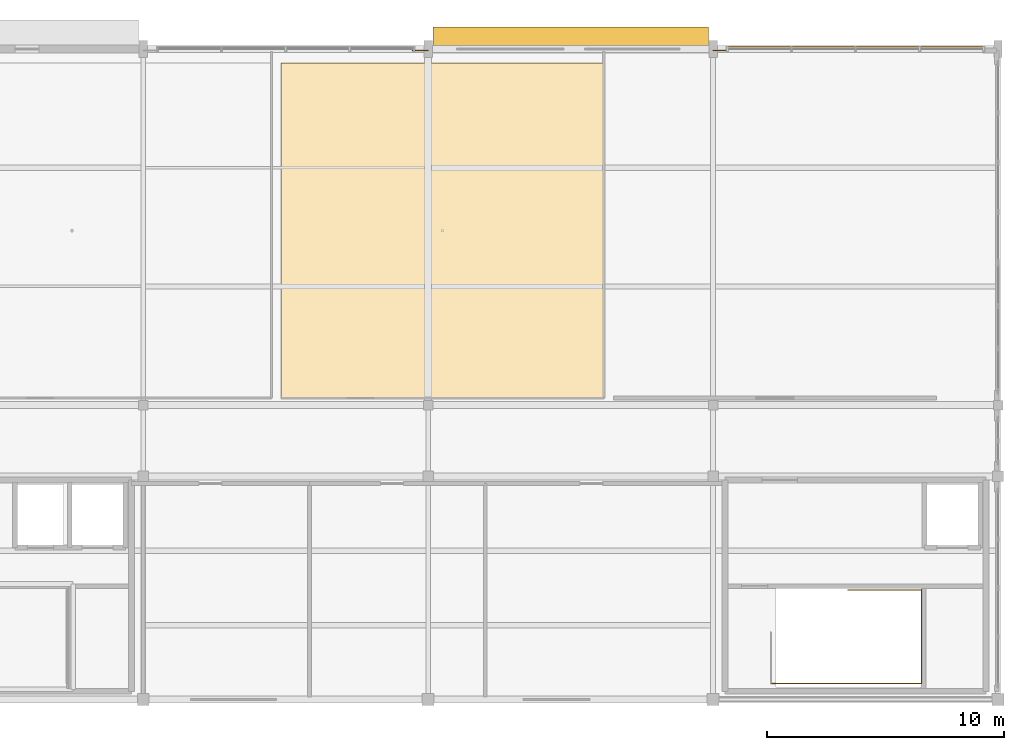
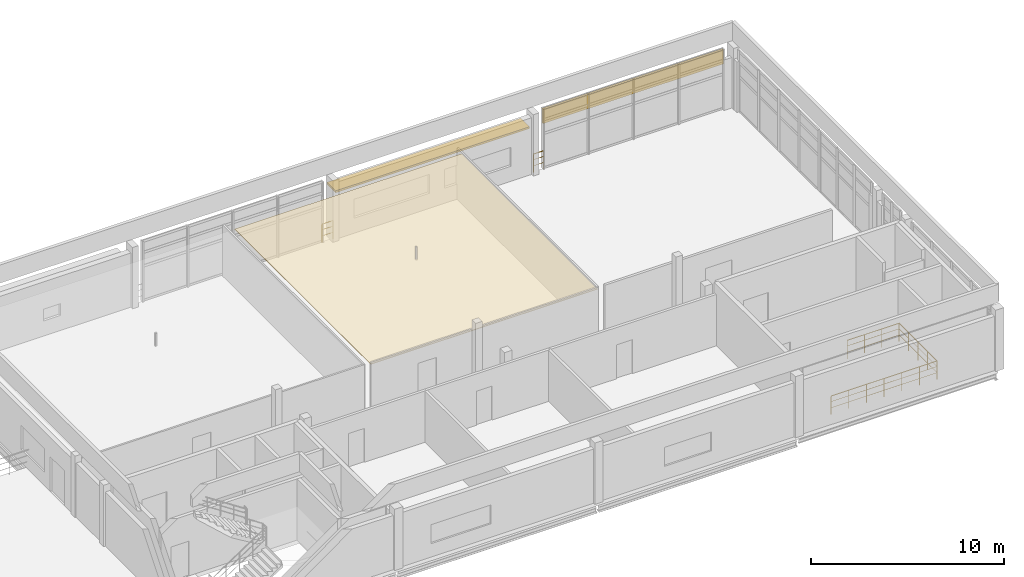
# One storey, part 9 of 9: 5 railings, 2 coverings, 1 shading device.
"""IFC4 building model written with IfcOpenShell, lengths in metres."""

from ifc_helpers import new_model, si_unit, direction, frame, origin, origin_2d, place, context, subcontext, project, spatial, rectangle, circle, extrude, material, layer, layer_set, type_object, element, save


model = new_model("IFC4")

# Units and contexts
model_context = context("Model", 3, precision=1e-05, world=origin(), true_north=direction((0.0, 1.0)))
body_context = subcontext(model_context, "Body", "Model", "MODEL_VIEW")
ifc_project = project(units=[si_unit("LENGTHUNIT", "METRE"), si_unit("AREAUNIT", "SQUARE_METRE"), si_unit("VOLUMEUNIT", "CUBIC_METRE"), si_unit("PLANEANGLEUNIT", "RADIAN"), si_unit("MASSUNIT", "GRAM", prefix="KILO"), si_unit("THERMODYNAMICTEMPERATUREUNIT", "KELVIN"), si_unit("POWERUNIT", "WATT")], contexts=[model_context])

# Site, building, storey
site_placement = place(None, origin())
site = spatial("IfcSite", under=ifc_project, at=site_placement, CompositionType="ELEMENT")
building_placement = place(site_placement, origin())
building = spatial("IfcBuilding", under=site, at=building_placement, Name="Solmara Park Aquatics Centre", CompositionType="ELEMENT")
storey_placement = place(building_placement, frame((0.0, 0.0, 18.60009765625)))
storey = spatial("IfcBuildingStorey", under=building, at=storey_placement, Name="L04", CompositionType="ELEMENT", Elevation=18.60009765625)

# Coverings
ifc_material_1 = material(Name="Perforated Anodised Bronze Solar Screen", Category="aluminium")
ifc_layer_1 = layer(ifc_material_1, 0.1201171875, Name="Perforated Anodised Bronze Solar Screen")
ifc_layer_set_1 = layer_set([ifc_layer_1], Name="Perforated Anodised Bronze Solar Screen")
covering_type_1 = type_object("IfcCoveringType", Name="ARC-COV-BRONZE", PredefinedType="CLADDING", material=ifc_layer_set_1)
covering_1_placement = place(storey_placement, frame((90.60009765625, 136.050048828125, 2.83984375), z_axis=(0.0, 0.0, 1.0), x_axis=(1.0, 0.0, 0.0)))
element("IfcCovering", 1, at=covering_1_placement, inside=storey, type_object=covering_type_1, Name="Perforated Bronze Solar Screen 013", PredefinedType="CLADDING", context=body_context, shape_type="SweptSolid", body=[
    extrude(rectangle(XDim=10.800048828125, YDim=0.1201171875, at=origin_2d()), origin(), (0.0, 0.0, 1.0), 0.89990234375),
])
ifc_material_2 = material(Name="Moisture-Resistant Perforated Acoustic Gypsum Ceiling", Category="gypsum")
ifc_layer_2 = layer(ifc_material_2, 0.0400390625, Name="Moisture-Resistant Perforated Acoustic Gypsum Ceiling")
ifc_layer_set_2 = layer_set([ifc_layer_2], Name="Moisture-Resistant Perforated Acoustic Gypsum Ceiling")
covering_type_2 = type_object("IfcCoveringType", Name="ARC-COV-CEIL", PredefinedType="CEILING", material=ifc_layer_set_2)
covering_2_placement = place(storey_placement, frame((73.199951171875, 128.35009765625, 3.079833984375), z_axis=(0.0, 0.0, 1.0), x_axis=(1.0, 0.0, 0.0)))
element("IfcCovering", 2, at=covering_2_placement, inside=storey, type_object=covering_type_2, Name="Acoustic Suspended Ceiling L04-TIM-01", PredefinedType="CEILING", context=body_context, shape_type="SweptSolid", body=[
    extrude(rectangle(XDim=13.60009765625, YDim=14.10009765625, at=origin_2d()), origin(), (0.0, 0.0, 1.0), 0.0400390625),
])

# Railings
ifc_material_3 = material(Name="Toughened Glass and Stainless Steel Stand Guardrail", Category="steel")
ifc_layer_3 = layer(ifc_material_3, 0.06005859375, Name="Toughened Glass and Stainless Steel Stand Guardrail")
ifc_layer_set_3 = layer_set([ifc_layer_3], Name="Toughened Glass and Stainless Steel Stand Guardrail")
railing_type_1 = type_object("IfcRailingType", Name="ARC-RL-STD110", PredefinedType="GUARDRAIL", material=ifc_layer_set_3)
railing_1_placement = place(storey_placement, frame((71.93994140625, 135.93994140625, 0.0)))
element("IfcRailing", 3, at=railing_1_placement, inside=storey, type_object=railing_type_1, Name="L04 Slab Edge Guardrail 117", PredefinedType="GUARDRAIL", context=body_context, shape_type="SweptSolid", body=[
    extrude(circle(Radius=0.02392578125, at=origin_2d()), frame((0.0, 0.0, 1.15576171875), z_axis=(1.0, 0.0, 0.0), x_axis=(0.0, 1.0, 0.0)), (0.0, 0.0, 1.0), 0.66015625),
    extrude(circle(Radius=0.01416015625, at=origin_2d()), frame((0.0, 0.0, 0.4130859375), z_axis=(1.0, 0.0, 0.0), x_axis=(0.0, 1.0, 0.0)), (0.0, 0.0, 1.0), 0.66015625),
    extrude(circle(Radius=0.01416015625, at=origin_2d()), frame((0.0, 0.0, 0.80224609375), z_axis=(1.0, 0.0, 0.0), x_axis=(0.0, 1.0, 0.0)), (0.0, 0.0, 1.0), 0.66015625),
    extrude(circle(Radius=0.02099609375, at=origin_2d()), origin(), (0.0, 0.0, 1.0), 1.1318359375),
    extrude(circle(Radius=0.02099609375, at=origin_2d()), frame((0.66015625, 0.0, 0.0)), (0.0, 0.0, 1.0), 1.1318359375),
])
railing_2_placement = place(storey_placement, frame((84.60009765625, 135.93994140625, 0.0)))
element("IfcRailing", 4, at=railing_2_placement, inside=storey, type_object=railing_type_1, Name="L04 Slab Edge Guardrail 118", PredefinedType="GUARDRAIL", context=body_context, shape_type="SweptSolid", body=[
    extrude(circle(Radius=0.02392578125, at=origin_2d()), frame((0.0, 0.0, 1.15576171875), z_axis=(1.0, 0.0, 0.0), x_axis=(0.0, 1.0, 0.0)), (0.0, 0.0, 1.0), 0.619873046875),
    extrude(circle(Radius=0.01416015625, at=origin_2d()), frame((0.0, 0.0, 0.4130859375), z_axis=(1.0, 0.0, 0.0), x_axis=(0.0, 1.0, 0.0)), (0.0, 0.0, 1.0), 0.619873046875),
    extrude(circle(Radius=0.01416015625, at=origin_2d()), frame((0.0, 0.0, 0.80224609375), z_axis=(1.0, 0.0, 0.0), x_axis=(0.0, 1.0, 0.0)), (0.0, 0.0, 1.0), 0.619873046875),
    extrude(circle(Radius=0.02099609375, at=origin_2d()), origin(), (0.0, 0.0, 1.0), 1.1318359375),
    extrude(circle(Radius=0.02099609375, at=origin_2d()), frame((0.619873046875, 0.0, 0.0)), (0.0, 0.0, 1.0), 1.1318359375),
])
ifc_material_4 = material(Name="Brushed Stainless Steel Guardrail", Category="steel")
ifc_layer_4 = layer(ifc_material_4, 0.050048828125, Name="Brushed Stainless Steel Guardrail")
ifc_layer_set_4 = layer_set([ifc_layer_4], Name="Brushed Stainless Steel Guardrail")
railing_type_2 = type_object("IfcRailingType", Name="ARC-RL-STR110", PredefinedType="GUARDRAIL", material=ifc_layer_set_4)
railing_3_placement = place(storey_placement, frame((93.3798828125, 109.27001953125, 0.0)))
element("IfcRailing", 5, at=railing_3_placement, inside=storey, type_object=railing_type_2, Name="ST-02 Protected Exit Stair (L03 to L04) Far Well Edge Guardrail", PredefinedType="GUARDRAIL", context=body_context, shape_type="SweptSolid", body=[
    extrude(circle(Radius=0.02392578125, at=origin_2d()), frame((0.0, 0.0, 1.15576171875), z_axis=(0.0, 1.0, 0.0), x_axis=(-1.0, 0.0, 0.0)), (0.0, 0.0, 1.0), 3.9599609375),
    extrude(circle(Radius=0.01416015625, at=origin_2d()), frame((0.0, 0.0, 0.4130859375), z_axis=(0.0, 1.0, 0.0), x_axis=(-1.0, 0.0, 0.0)), (0.0, 0.0, 1.0), 3.9599609375),
    extrude(circle(Radius=0.01416015625, at=origin_2d()), frame((0.0, 0.0, 0.80224609375), z_axis=(0.0, 1.0, 0.0), x_axis=(-1.0, 0.0, 0.0)), (0.0, 0.0, 1.0), 3.9599609375),
    extrude(circle(Radius=0.02099609375, at=origin_2d()), origin(), (0.0, 0.0, 1.0), 1.1318359375),
    extrude(circle(Radius=0.02099609375, at=origin_2d()), frame((0.0, 0.989990234375, 0.0)), (0.0, 0.0, 1.0), 1.1318359375),
    extrude(circle(Radius=0.02099609375, at=origin_2d()), frame((0.0, 1.97998046875, 0.0)), (0.0, 0.0, 1.0), 1.1318359375),
    extrude(circle(Radius=0.02099609375, at=origin_2d()), frame((0.0, 2.969970703125, 0.0)), (0.0, 0.0, 1.0), 1.1318359375),
    extrude(circle(Radius=0.02099609375, at=origin_2d()), frame((0.0, 3.9599609375, 0.0)), (0.0, 0.0, 1.0), 1.1318359375),
])
railing_4_placement = place(storey_placement, frame((87.030029296875, 109.280029296875, 0.0)))
element("IfcRailing", 6, at=railing_4_placement, inside=storey, type_object=railing_type_2, Name="ST-02 Protected Exit Stair (L03 to L04) Top Well South Guardrail", PredefinedType="GUARDRAIL", context=body_context, shape_type="SweptSolid", body=[
    extrude(circle(Radius=0.02392578125, at=origin_2d()), frame((0.0, 0.0, 1.15576171875), z_axis=(1.0, 0.0, 0.0), x_axis=(0.0, 1.0, 0.0)), (0.0, 0.0, 1.0), 6.349853515625),
    extrude(circle(Radius=0.01416015625, at=origin_2d()), frame((0.0, 0.0, 0.4130859375), z_axis=(1.0, 0.0, 0.0), x_axis=(0.0, 1.0, 0.0)), (0.0, 0.0, 1.0), 6.349853515625),
    extrude(circle(Radius=0.01416015625, at=origin_2d()), frame((0.0, 0.0, 0.80224609375), z_axis=(1.0, 0.0, 0.0), x_axis=(0.0, 1.0, 0.0)), (0.0, 0.0, 1.0), 6.349853515625),
    extrude(circle(Radius=0.02099609375, at=origin_2d()), origin(), (0.0, 0.0, 1.0), 1.1318359375),
    extrude(circle(Radius=0.02099609375, at=origin_2d()), frame((1.058349609375, 0.0, 0.0)), (0.0, 0.0, 1.0), 1.1318359375),
    extrude(circle(Radius=0.02099609375, at=origin_2d()), frame((2.11669921875, 0.0, 0.0)), (0.0, 0.0, 1.0), 1.1318359375),
    extrude(circle(Radius=0.02099609375, at=origin_2d()), frame((3.1748046875, 0.0, 0.0)), (0.0, 0.0, 1.0), 1.1318359375),
    extrude(circle(Radius=0.02099609375, at=origin_2d()), frame((4.233154296875, 0.0, 0.0)), (0.0, 0.0, 1.0), 1.1318359375),
    extrude(circle(Radius=0.02099609375, at=origin_2d()), frame((5.29150390625, 0.0, 0.0)), (0.0, 0.0, 1.0), 1.1318359375),
    extrude(circle(Radius=0.02099609375, at=origin_2d()), frame((6.349853515625, 0.0, 0.0)), (0.0, 0.0, 1.0), 1.1318359375),
])
railing_5_placement = place(storey_placement, frame((90.27001953125, 113.219970703125, 0.0)))
element("IfcRailing", 7, at=railing_5_placement, inside=storey, type_object=railing_type_2, Name="ST-02 Protected Exit Stair (L03 to L04) Top Well North Guardrail", PredefinedType="GUARDRAIL", context=body_context, shape_type="SweptSolid", body=[
    extrude(circle(Radius=0.02392578125, at=origin_2d()), frame((0.0, 0.0, 1.15576171875), z_axis=(1.0, 0.0, 0.0), x_axis=(0.0, 1.0, 0.0)), (0.0, 0.0, 1.0), 3.10986328125),
    extrude(circle(Radius=0.01416015625, at=origin_2d()), frame((0.0, 0.0, 0.4130859375), z_axis=(1.0, 0.0, 0.0), x_axis=(0.0, 1.0, 0.0)), (0.0, 0.0, 1.0), 3.10986328125),
    extrude(circle(Radius=0.01416015625, at=origin_2d()), frame((0.0, 0.0, 0.80224609375), z_axis=(1.0, 0.0, 0.0), x_axis=(0.0, 1.0, 0.0)), (0.0, 0.0, 1.0), 3.10986328125),
    extrude(circle(Radius=0.02099609375, at=origin_2d()), origin(), (0.0, 0.0, 1.0), 1.1318359375),
    extrude(circle(Radius=0.02099609375, at=origin_2d()), frame((1.03662109375, 0.0, 0.0)), (0.0, 0.0, 1.0), 1.1318359375),
    extrude(circle(Radius=0.02099609375, at=origin_2d()), frame((2.0732421875, 0.0, 0.0)), (0.0, 0.0, 1.0), 1.1318359375),
    extrude(circle(Radius=0.02099609375, at=origin_2d()), frame((3.10986328125, 0.0, 0.0)), (0.0, 0.0, 1.0), 1.1318359375),
])

# Shading device
ifc_material_5 = material(Name="Anodised Bronze Aluminium", Category="aluminium")
shading_device_type = type_object("IfcShadingDeviceType", Name="ARC-SHD-EYE900", PredefinedType="USERDEFINED", material=ifc_material_5)
shading_device_placement = place(storey_placement, frame((78.60009765625, 136.469970703125, 2.789794921875), z_axis=(0.0, 0.0, 1.0), x_axis=(1.0, 0.0, 0.0)))
element("IfcShadingDevice", 8, at=shading_device_placement, inside=storey, type_object=shading_device_type, Name="Streamline Sun-Shading Eyebrow 017", ObjectType="SUNSHADE", PredefinedType="USERDEFINED", context=body_context, shape_type="SweptSolid", body=[
    extrude(rectangle(XDim=11.60009765625, YDim=0.89990234375, at=origin_2d()), origin(), (0.0, 0.0, 1.0), 0.1201171875),
])

save(model, "model.ifc")
